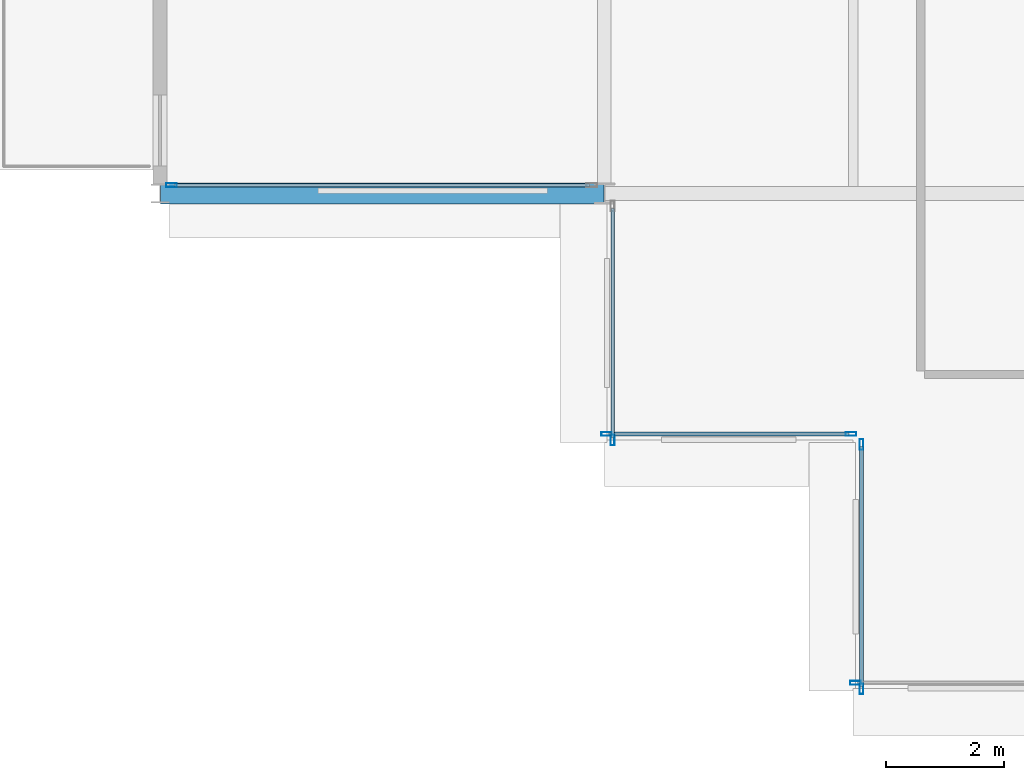
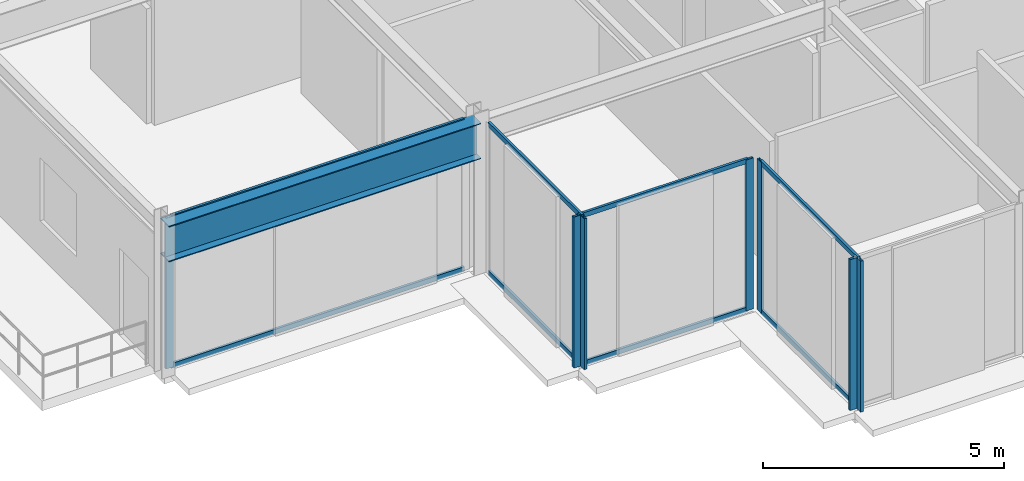
# One storey, part 3 of 29: 15 members, 1 beam, 5 elements without a shape of their own.
"""IFC4 building model written with IfcOpenShell, lengths in metres."""

from ifc_helpers import new_model, si_unit, direction, frame, origin, origin_2d, place, context, subcontext, project, spatial, hollow_rectangle, i_section, extrude, material, layer, layer_set, material_profile, profile_set, type_object, element, aggregate, save


model = new_model("IFC4")

# Units and contexts
model_context = context("Model", 3, precision=1e-05, world=origin(), true_north=direction((0.0, 1.0)))
body_context = subcontext(model_context, "Body", "Model", "MODEL_VIEW")
ifc_project = project(units=[si_unit("LENGTHUNIT", "METRE"), si_unit("AREAUNIT", "SQUARE_METRE"), si_unit("VOLUMEUNIT", "CUBIC_METRE"), si_unit("PLANEANGLEUNIT", "RADIAN"), si_unit("MASSUNIT", "GRAM", prefix="KILO")], contexts=[model_context])

# Site, building, storey
site_placement = place(None, origin())
site = spatial("IfcSite", under=ifc_project, at=site_placement, CompositionType="ELEMENT")
building_placement = place(site_placement, origin())
building = spatial("IfcBuilding", under=site, at=building_placement, Name="Nerrivon Quay Data Exchange", CompositionType="ELEMENT")
storey_placement = place(building_placement, frame((0.0, 0.0, 179.60009765625)))
storey = spatial("IfcBuildingStorey", under=building, at=storey_placement, Name="L42", CompositionType="ELEMENT", Elevation=179.60009765625)

# Beam
ifc_material_1 = material(Name="Steel Grade 350", Category="steel")
ifc_material_profile_1 = material_profile(ifc_material_1, i_section(OverallWidth=0.35009765625, OverallDepth=0.909912109375, WebThickness=0.011962890625, FlangeThickness=0.02490234375, at=origin_2d()), Name="900WB218")
ifc_profile_set_1 = profile_set([ifc_material_profile_1], Name="Steel Grade 350")
beam_type = type_object("IfcBeamType", Name="BM-CANT-900WB", PredefinedType="USERDEFINED", material=ifc_profile_set_1)
beam_placement = place(storey_placement, frame((-0.010009765625, 8.39990234375, 3.369873046875), z_axis=(-1.0, 0.0, 0.0), x_axis=(0.0, -1.0, 0.0)))
element("IfcBeam", 1, at=beam_placement, inside=storey, type_object=beam_type, Name="L42 West Hooked Cantilever Girder Y=8.4", ObjectType="TRANSFER", PredefinedType="USERDEFINED", context=body_context, shape_type="SweptSolid", body=[
    extrude(i_section(OverallWidth=0.35009765625, OverallDepth=0.909912109375, WebThickness=0.011962890625, FlangeThickness=0.02490234375, at=origin_2d()), origin(), (0.0, 0.0, 1.0), 7.482177734375),
])

# Curtain wall, member
ifc_material_2 = material(Name="Anodised aluminium 6063-T6", Category="aluminium")
ifc_layer_1 = layer(ifc_material_2, 0.195068359375)
ifc_layer_set_1 = layer_set([ifc_layer_1], Name="Anodised aluminium 6063-T6")
curtain_wall_type_1 = type_object("IfcCurtainWallType", Name="CW-SYS-06", PredefinedType="NOTDEFINED", material=ifc_layer_set_1)
curtain_wall_1_placement = place(storey_placement, origin())
curtain_wall_1 = element("IfcCurtainWall", 2, at=curtain_wall_1_placement, inside=storey, type_object=curtain_wall_type_1, Name="L42 Unitised Curtain Wall 28", PredefinedType="NOTDEFINED")
ifc_material_profile_2 = material_profile(ifc_material_2, hollow_rectangle(XDim=0.06494140625, YDim=0.179931640625, WallThickness=0.00341796875, at=origin_2d()), Name="ALU-MULL-180x65")
ifc_profile_set_2 = profile_set([ifc_material_profile_2], Name="Anodised aluminium 6063-T6")
member_type_1 = type_object("IfcMemberType", Name="CWM-180x65", PredefinedType="MULLION", material=ifc_profile_set_2)
member_1_placement = place(storey_placement, frame((4.237548828125, 0.139892578125, 0.0), z_axis=(0.0, 0.0, 1.0), x_axis=(0.0, -1.0, 0.0)))
member_1 = element("IfcMember", 3, at=member_1_placement, type_object=member_type_1, Name="CW06 mullion 2", PredefinedType="MULLION", context=body_context, shape_type="SweptSolid", body=[
    extrude(hollow_rectangle(XDim=0.06494140625, YDim=0.179931640625, WallThickness=0.00341796875, at=origin_2d()), origin(), (0.0, 0.0, 1.0), 3.824951171875),
])
aggregate(curtain_wall_1, [member_1])

# Curtain wall, members
curtain_wall_2_placement = place(storey_placement, origin())
curtain_wall_2 = element("IfcCurtainWall", 4, at=curtain_wall_2_placement, inside=storey, type_object=curtain_wall_type_1, Name="L42 Unitised Curtain Wall 29", PredefinedType="NOTDEFINED")
member_2_placement = place(storey_placement, frame((4.340087890625, 0.03759765625, 0.0), z_axis=(0.0, 0.0, 1.0), x_axis=(-1.0, 0.0, 0.0)))
member_2 = element("IfcMember", 5, at=member_2_placement, type_object=member_type_1, Name="CW06 mullion 1", PredefinedType="MULLION", context=body_context, shape_type="SweptSolid", body=[
    extrude(hollow_rectangle(XDim=0.06494140625, YDim=0.179931640625, WallThickness=0.00341796875, at=origin_2d()), origin(), (0.0, 0.0, 1.0), 3.824951171875),
])
member_3_placement = place(storey_placement, frame((4.340087890625, 4.16259765625, 0.0), z_axis=(0.0, 0.0, 1.0), x_axis=(-1.0, 0.0, 0.0)))
member_3 = element("IfcMember", 6, at=member_3_placement, type_object=member_type_1, Name="CW06 mullion 2", PredefinedType="MULLION", context=body_context, shape_type="SweptSolid", body=[
    extrude(hollow_rectangle(XDim=0.06494140625, YDim=0.179931640625, WallThickness=0.00341796875, at=origin_2d()), origin(), (0.0, 0.0, 1.0), 3.824951171875),
])

curtain_wall_3_placement = place(storey_placement, origin())
curtain_wall_3 = element("IfcCurtainWall", 7, at=curtain_wall_3_placement, inside=storey, type_object=curtain_wall_type_1, Name="L42 Unitised Curtain Wall 30", PredefinedType="NOTDEFINED")
member_4_placement = place(storey_placement, frame((4.16259765625, 4.340087890625, 0.0), z_axis=(0.0, 0.0, 1.0), x_axis=(0.0, -1.0, 0.0)))
member_4 = element("IfcMember", 8, at=member_4_placement, type_object=member_type_1, Name="CW06 mullion 1", PredefinedType="MULLION", context=body_context, shape_type="SweptSolid", body=[
    extrude(hollow_rectangle(XDim=0.06494140625, YDim=0.179931640625, WallThickness=0.00341796875, at=origin_2d()), origin(), (0.0, 0.0, 1.0), 3.824951171875),
])
member_5_placement = place(storey_placement, frame((0.03759765625, 4.340087890625, 0.0), z_axis=(0.0, 0.0, 1.0), x_axis=(0.0, -1.0, 0.0)))
member_5 = element("IfcMember", 9, at=member_5_placement, type_object=member_type_1, Name="CW06 mullion 2", PredefinedType="MULLION", context=body_context, shape_type="SweptSolid", body=[
    extrude(hollow_rectangle(XDim=0.06494140625, YDim=0.179931640625, WallThickness=0.00341796875, at=origin_2d()), origin(), (0.0, 0.0, 1.0), 3.824951171875),
])

# Curtain wall, member
curtain_wall_4_placement = place(storey_placement, origin())
curtain_wall_4 = element("IfcCurtainWall", 10, at=curtain_wall_4_placement, inside=storey, type_object=curtain_wall_type_1, Name="L42 Unitised Curtain Wall 31", PredefinedType="NOTDEFINED")
member_6_placement = place(storey_placement, frame((0.139892578125, 4.237548828125, 0.0), z_axis=(0.0, 0.0, 1.0), x_axis=(-1.0, 0.0, 0.0)))
member_6 = element("IfcMember", 11, at=member_6_placement, type_object=member_type_1, Name="CW06 mullion 1", PredefinedType="MULLION", context=body_context, shape_type="SweptSolid", body=[
    extrude(hollow_rectangle(XDim=0.06494140625, YDim=0.179931640625, WallThickness=0.00341796875, at=origin_2d()), origin(), (0.0, 0.0, 1.0), 3.824951171875),
])

ifc_layer_2 = layer(ifc_material_2, 0.199951171875)
ifc_layer_set_2 = layer_set([ifc_layer_2], Name="Anodised aluminium 6063-T6")
curtain_wall_type_2 = type_object("IfcCurtainWallType", Name="CW-SYS-04", PredefinedType="NOTDEFINED", material=ifc_layer_set_2)
curtain_wall_5_placement = place(storey_placement, origin())
curtain_wall_5 = element("IfcCurtainWall", 12, at=curtain_wall_5_placement, inside=storey, type_object=curtain_wall_type_2, Name="L42 Unitised Curtain Wall 32", PredefinedType="NOTDEFINED")
member_7_placement = place(storey_placement, frame((-7.306884765625, 8.5400390625, 0.0), z_axis=(0.0, 0.0, 1.0), x_axis=(0.0, -1.0, 0.0)))
member_7 = element("IfcMember", 13, at=member_7_placement, type_object=member_type_1, Name="CW04 mullion 2", PredefinedType="MULLION", context=body_context, shape_type="SweptSolid", body=[
    extrude(hollow_rectangle(XDim=0.06494140625, YDim=0.179931640625, WallThickness=0.00341796875, at=origin_2d()), origin(), (0.0, 0.0, 1.0), 3.824951171875),
])

# Member
ifc_material_profile_3 = material_profile(ifc_material_2, hollow_rectangle(XDim=0.06005859375, YDim=0.1201171875, WallThickness=0.003173828125, at=origin_2d()), Name="ALU-TRAN-120x60")
ifc_profile_set_3 = profile_set([ifc_material_profile_3], Name="Anodised aluminium 6063-T6")
member_type_2 = type_object("IfcMemberType", Name="CWT-120x60", PredefinedType="USERDEFINED", material=ifc_profile_set_3)
member_8_placement = place(storey_placement, frame((4.340087890625, 0.074951171875, 0.032470703125), z_axis=(0.0, 1.0, 0.0), x_axis=(-1.0, 0.0, 0.0)))
member_8 = element("IfcMember", 14, at=member_8_placement, type_object=member_type_2, Name="CW06 transom 1.1", ObjectType="TRANSOM", PredefinedType="USERDEFINED", context=body_context, shape_type="SweptSolid", body=[
    extrude(hollow_rectangle(XDim=0.06005859375, YDim=0.1201171875, WallThickness=0.003173828125, at=origin_2d()), origin(), (0.0, 0.0, 1.0), 4.050048828125),
])

member_9_placement = place(storey_placement, frame((4.340087890625, 0.074951171875, 3.79248046875), z_axis=(0.0, 1.0, 0.0), x_axis=(-1.0, 0.0, 0.0)))
member_9 = element("IfcMember", 15, at=member_9_placement, type_object=member_type_2, Name="CW06 transom 1.2", ObjectType="TRANSOM", PredefinedType="USERDEFINED", context=body_context, shape_type="SweptSolid", body=[
    extrude(hollow_rectangle(XDim=0.06005859375, YDim=0.1201171875, WallThickness=0.003173828125, at=origin_2d()), origin(), (0.0, 0.0, 1.0), 4.050048828125),
])

aggregate(curtain_wall_2, [member_2, member_3, member_8, member_9])

member_10_placement = place(storey_placement, frame((4.125, 4.340087890625, 0.032470703125), z_axis=(-1.0, 0.0, 0.0), x_axis=(0.0, -1.0, 0.0)))
member_10 = element("IfcMember", 16, at=member_10_placement, type_object=member_type_2, Name="CW06 transom 1.1", ObjectType="TRANSOM", PredefinedType="USERDEFINED", context=body_context, shape_type="SweptSolid", body=[
    extrude(hollow_rectangle(XDim=0.06005859375, YDim=0.1201171875, WallThickness=0.003173828125, at=origin_2d()), origin(), (0.0, 0.0, 1.0), 4.050048828125),
])

member_11_placement = place(storey_placement, frame((4.125, 4.340087890625, 3.79248046875), z_axis=(-1.0, 0.0, 0.0), x_axis=(0.0, -1.0, 0.0)))
member_11 = element("IfcMember", 17, at=member_11_placement, type_object=member_type_2, Name="CW06 transom 1.2", ObjectType="TRANSOM", PredefinedType="USERDEFINED", context=body_context, shape_type="SweptSolid", body=[
    extrude(hollow_rectangle(XDim=0.06005859375, YDim=0.1201171875, WallThickness=0.003173828125, at=origin_2d()), origin(), (0.0, 0.0, 1.0), 4.050048828125),
])

aggregate(curtain_wall_3, [member_4, member_5, member_10, member_11])

member_12_placement = place(storey_placement, frame((0.139892578125, 4.27490234375, 0.032470703125), z_axis=(0.0, 1.0, 0.0), x_axis=(-1.0, 0.0, 0.0)))
member_12 = element("IfcMember", 18, at=member_12_placement, type_object=member_type_2, Name="CW06 transom 1.1", ObjectType="TRANSOM", PredefinedType="USERDEFINED", context=body_context, shape_type="SweptSolid", body=[
    extrude(hollow_rectangle(XDim=0.06005859375, YDim=0.1201171875, WallThickness=0.003173828125, at=origin_2d()), origin(), (0.0, 0.0, 1.0), 3.875),
])

member_13_placement = place(storey_placement, frame((0.139892578125, 4.27490234375, 3.79248046875), z_axis=(0.0, 1.0, 0.0), x_axis=(-1.0, 0.0, 0.0)))
member_13 = element("IfcMember", 19, at=member_13_placement, type_object=member_type_2, Name="CW06 transom 1.2", ObjectType="TRANSOM", PredefinedType="USERDEFINED", context=body_context, shape_type="SweptSolid", body=[
    extrude(hollow_rectangle(XDim=0.06005859375, YDim=0.1201171875, WallThickness=0.003173828125, at=origin_2d()), origin(), (0.0, 0.0, 1.0), 3.875),
])

aggregate(curtain_wall_4, [member_6, member_12, member_13])

member_14_placement = place(storey_placement, frame((-0.25, 8.5400390625, 0.032470703125), z_axis=(-1.0, 0.0, 0.0), x_axis=(0.0, -1.0, 0.0)))
member_14 = element("IfcMember", 20, at=member_14_placement, type_object=member_type_2, Name="CW04 transom 1.1", ObjectType="TRANSOM", PredefinedType="USERDEFINED", context=body_context, shape_type="SweptSolid", body=[
    extrude(hollow_rectangle(XDim=0.06005859375, YDim=0.1201171875, WallThickness=0.003173828125, at=origin_2d()), origin(), (0.0, 0.0, 1.0), 7.01953125),
])

member_15_placement = place(storey_placement, frame((-0.25, 8.5400390625, 3.79248046875), z_axis=(-1.0, 0.0, 0.0), x_axis=(0.0, -1.0, 0.0)))
member_15 = element("IfcMember", 21, at=member_15_placement, type_object=member_type_2, Name="CW04 transom 1.2", ObjectType="TRANSOM", PredefinedType="USERDEFINED", context=body_context, shape_type="SweptSolid", body=[
    extrude(hollow_rectangle(XDim=0.06005859375, YDim=0.1201171875, WallThickness=0.003173828125, at=origin_2d()), origin(), (0.0, 0.0, 1.0), 7.01953125),
])

aggregate(curtain_wall_5, [member_7, member_14, member_15])

save(model, "model.ifc")
